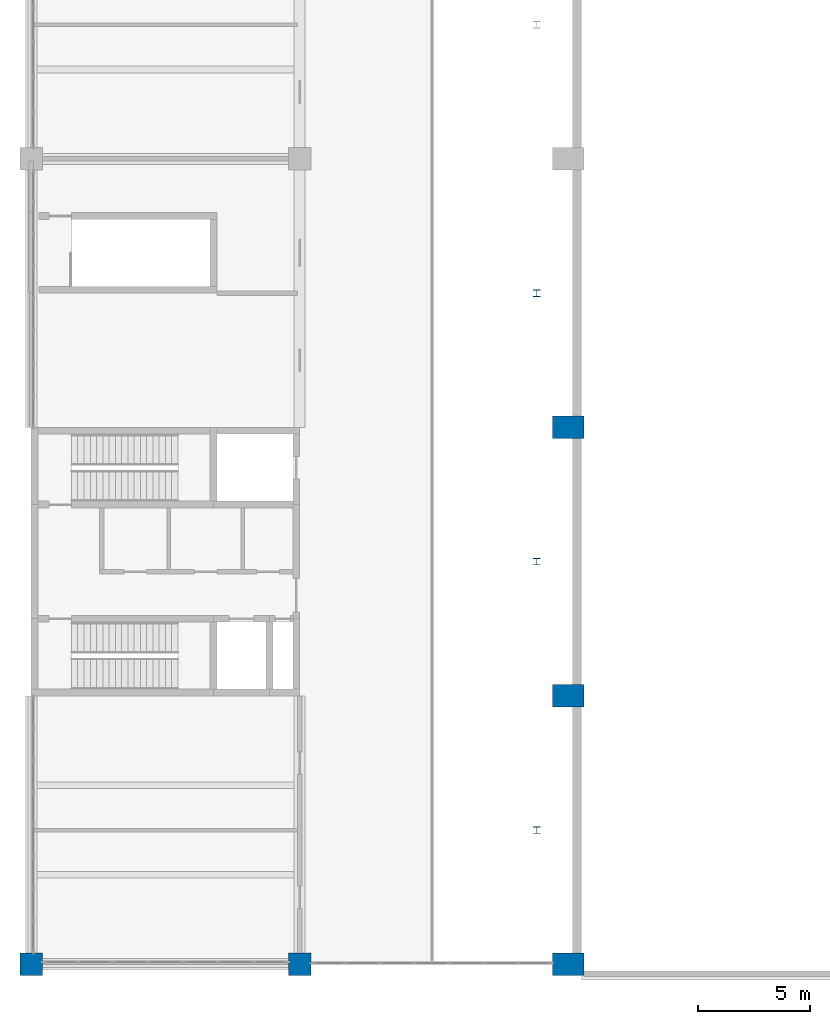
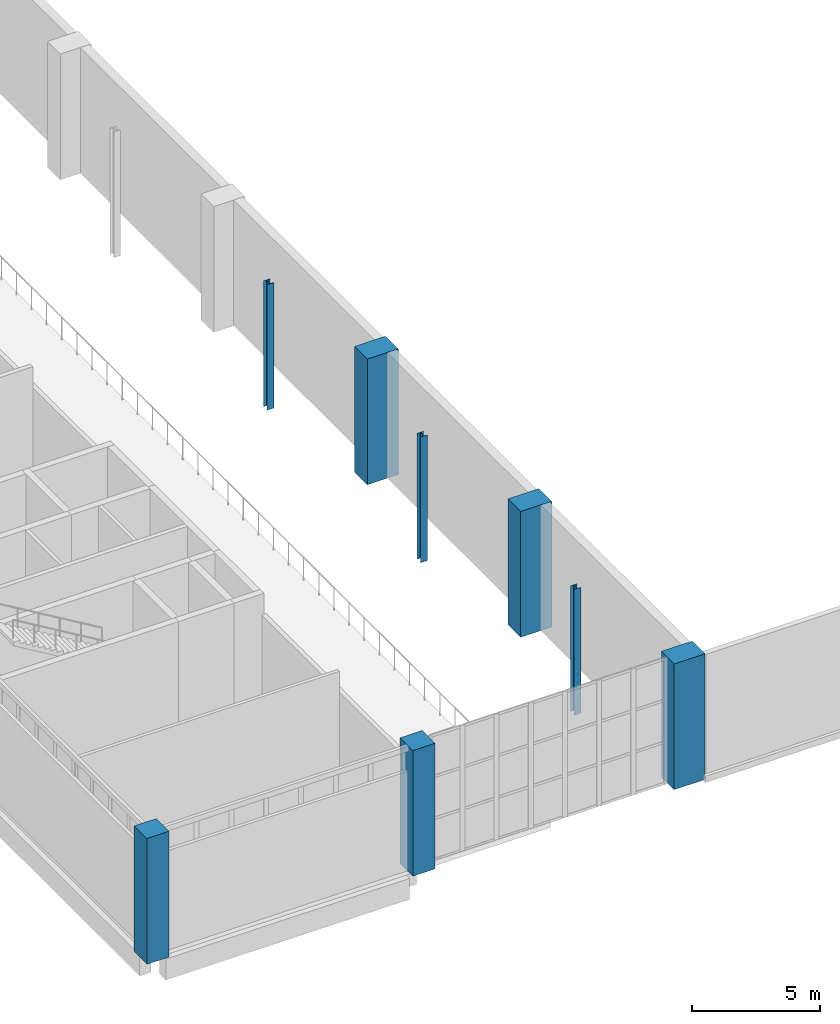
# One storey, part 1 of 72: 8 columns.
"""IFC4 building model written with IfcOpenShell, lengths in metres."""

from ifc_helpers import new_model, si_unit, direction, frame, origin, origin_2d, place, context, subcontext, project, spatial, rectangle, i_section, extrude, material, material_profile, profile_set, type_object, element, save


model = new_model("IFC4")

# Units and contexts
model_context = context("Model", 3, precision=1e-05, world=origin(), true_north=direction((0.0, 1.0)))
body_context = subcontext(model_context, "Body", "Model", "MODEL_VIEW")
ifc_project = project(units=[si_unit("LENGTHUNIT", "METRE"), si_unit("AREAUNIT", "SQUARE_METRE"), si_unit("VOLUMEUNIT", "CUBIC_METRE"), si_unit("PLANEANGLEUNIT", "RADIAN"), si_unit("MASSUNIT", "GRAM", prefix="KILO")], contexts=[model_context])

# Site, building, storey
site_placement = place(None, origin())
site = spatial("IfcSite", under=ifc_project, at=site_placement, CompositionType="ELEMENT")
building_placement = place(site_placement, origin())
building = spatial("IfcBuilding", under=site, at=building_placement, Name="Lilac Gate Convention Centre", CompositionType="ELEMENT")
storey_placement = place(building_placement, frame((0.0, 0.0, 6.0)))
storey = spatial("IfcBuildingStorey", under=building, at=storey_placement, Name="L01", CompositionType="ELEMENT", Elevation=6.0)

# Columns
ifc_material_1 = material(Name="Concrete C40", Category="concrete")
ifc_material_profile_1 = material_profile(ifc_material_1, rectangle(XDim=1.0, YDim=1.0, at=origin_2d()), Name="RC 1000x1000")
ifc_profile_set_1 = profile_set([ifc_material_profile_1], Name="Concrete C40")
column_type_1 = type_object("IfcColumnType", Name="RC column 1000x1000 C40", PredefinedType="COLUMN", material=ifc_profile_set_1)
for number, where, z_axis, x_axis, name in (
    (1, (6.0, 30.0, 0.0), (0.0, 0.0, 1.0), (1.0, 0.0, 0.0), "C1 L01 at 1/A"),
    (2, (18.0, 30.0, 0.0), (0.0, 0.0, 1.0), (1.0, 0.0, 0.0), "C1 L01 at 2/A"),
):
    element("IfcColumn", number, at=place(storey_placement, frame(where, z_axis=z_axis, x_axis=x_axis)), inside=storey, type_object=column_type_1, Name=name, PredefinedType="COLUMN", context=body_context, shape_type="SweptSolid", body=[
        extrude(rectangle(XDim=1.0, YDim=1.0, at=origin_2d()), origin(), (0.0, 0.0, 1.0), 6.0),
    ])
ifc_material_profile_2 = material_profile(ifc_material_1, rectangle(XDim=1.39990234375, YDim=1.0, at=origin_2d()), Name="RC 1400x1000")
ifc_profile_set_2 = profile_set([ifc_material_profile_2], Name="Concrete C40")
column_type_2 = type_object("IfcColumnType", Name="RC hall column 1400x1000 C40", PredefinedType="COLUMN", material=ifc_profile_set_2)
for number, where, z_axis, x_axis, name in (
    (3, (30.0, 30.0, 0.0), (0.0, 0.0, 1.0), (1.0, 0.0, 0.0), "C2 L01 at 3/A"),
    (4, (30.0, 42.0, 0.0), (0.0, 0.0, 1.0), (1.0, 0.0, 0.0), "C2 L01 at 3/B"),
    (5, (30.0, 54.0, 0.0), (0.0, 0.0, 1.0), (1.0, 0.0, 0.0), "C2 L01 at 3/C"),
):
    element("IfcColumn", number, at=place(storey_placement, frame(where, z_axis=z_axis, x_axis=x_axis)), inside=storey, type_object=column_type_2, Name=name, PredefinedType="COLUMN", context=body_context, shape_type="SweptSolid", body=[
        extrude(rectangle(XDim=1.39990234375, YDim=1.0, at=origin_2d()), origin(), (0.0, 0.0, 1.0), 6.0),
    ])
ifc_material_2 = material(Name="Steel Q355B", Category="steel")
ifc_material_profile_3 = material_profile(ifc_material_2, i_section(OverallWidth=0.300048828125, OverallDepth=0.300048828125, WebThickness=0.010009765625, FlangeThickness=0.014892578125, FilletRadius=0.012939453125, at=origin_2d()), Name="HW300x300x10x15")
ifc_profile_set_3 = profile_set([ifc_material_profile_3], Name="Steel Q355B")
column_type_3 = type_object("IfcColumnType", Name="Steel column HW300x300x10x15", PredefinedType="COLUMN", material=ifc_profile_set_3)
for number, where, z_axis, x_axis, name in (
    (6, (28.60009765625, 36.0, 0.0), (0.0, 0.0, 1.0), (1.0, 0.0, 0.0), "SC1 L01 atrium column at 36"),
    (7, (28.60009765625, 48.0, 0.0), (0.0, 0.0, 1.0), (1.0, 0.0, 0.0), "SC1 L01 atrium column at 48"),
    (8, (28.60009765625, 60.0, 0.0), (0.0, 0.0, 1.0), (1.0, 0.0, 0.0), "SC1 L01 atrium column at 60"),
):
    element("IfcColumn", number, at=place(storey_placement, frame(where, z_axis=z_axis, x_axis=x_axis)), inside=storey, type_object=column_type_3, Name=name, PredefinedType="COLUMN", context=body_context, shape_type="SweptSolid", body=[
        extrude(i_section(OverallWidth=0.300048828125, OverallDepth=0.300048828125, WebThickness=0.010009765625, FlangeThickness=0.014892578125, FilletRadius=0.012939453125, at=origin_2d()), origin(), (0.0, 0.0, 1.0), 6.0),
    ])

save(model, "model.ifc")
